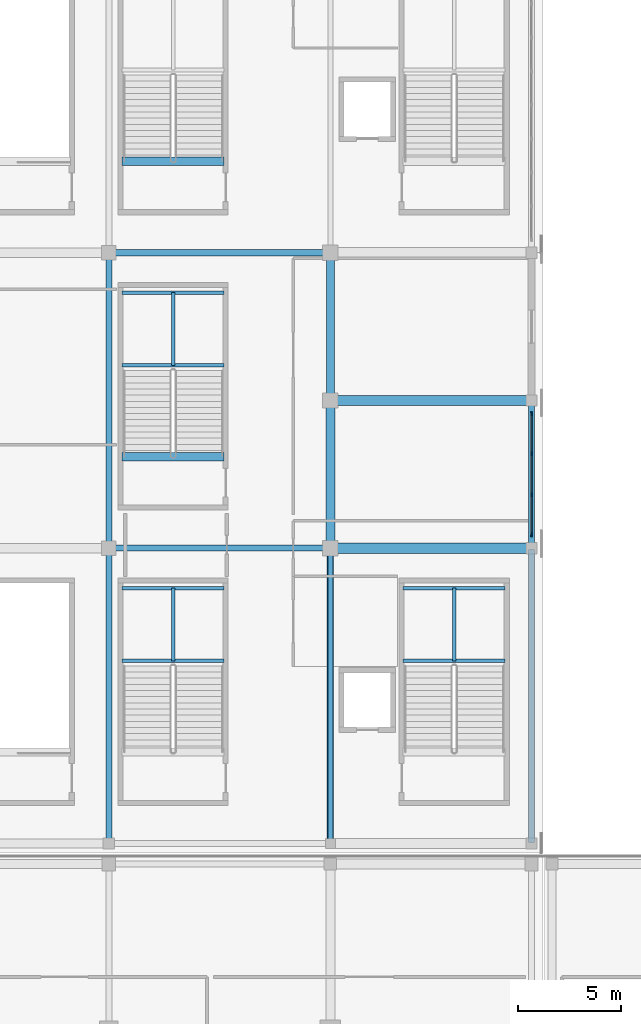
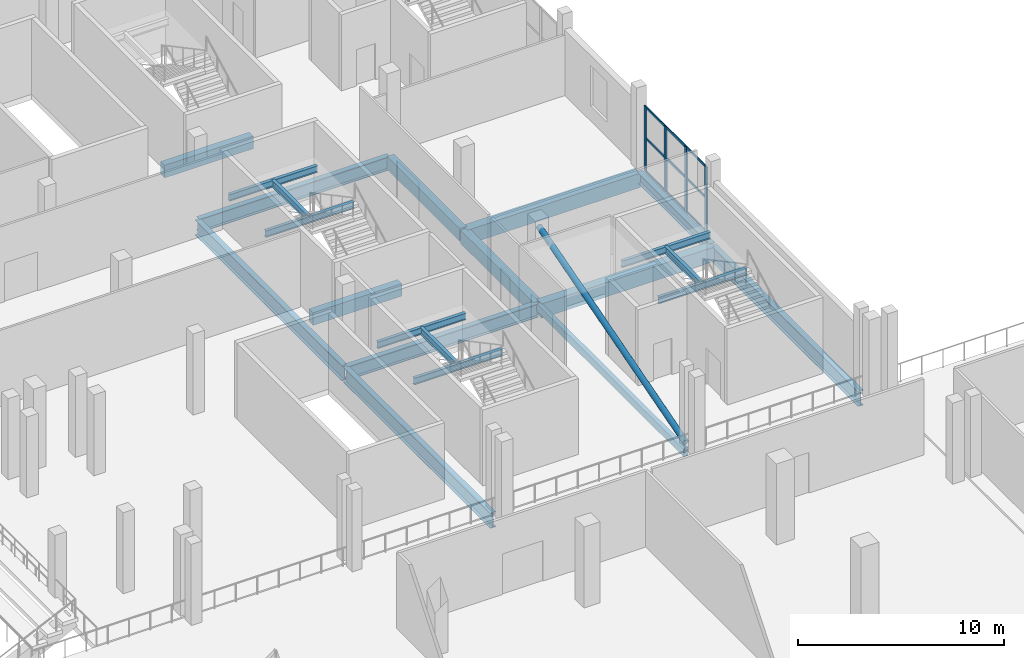
# One storey, part 39 of 129: 22 beams, 14 members, 1 element without a shape of its own.
"""IFC4 building model written with IfcOpenShell, lengths in metres."""

import ifcopenshell
import ifcopenshell.guid

model = None  # the IFC model being written
_history = None  # IfcOwnerHistory: only IFC2X3 demands one
_inside = {}  # id of a spatial element -> (the spatial element, [elements in it])
_under = {}  # id of a project, library or spatial element -> (it, [spatial elements below it])
_declared = {}  # id of a project -> (the project, [libraries it declares])
_typed = {}  # id of a type object -> (the type object, [elements of that type])
_made_of = {}  # id of a material, layer set ... -> (it, [elements and type objects made of it])


def new_model(schema):
    """Start an empty IFC model of exactly this schema.

    Asked for "IFC4X3", IfcOpenShell would pick the latest addendum, in which some entities
    have other attributes; the version numbers below select the first issue.
    IFC2X3 requires an IfcOwnerHistory on every rooted entity: one is made here for all.
    """
    global model, _history
    if schema == "IFC4X3":
        model = ifcopenshell.file(schema_version=(4, 3, 0, 0))
    else:
        model = ifcopenshell.file(schema=schema)
    _inside.clear()
    _under.clear()
    _declared.clear()
    _typed.clear()
    _made_of.clear()
    _history = None
    if model.schema == "IFC2X3":
        org = make("IfcOrganization", Name="unknown")
        user = make(
            "IfcPersonAndOrganization",
            ThePerson=make("IfcPerson", FamilyName="unknown"),
            TheOrganization=org,
        )
        app = make(
            "IfcApplication",
            ApplicationDeveloper=org,
            Version="unknown",
            ApplicationFullName="unknown",
            ApplicationIdentifier="unknown",
        )
        _history = make(
            "IfcOwnerHistory",
            OwningUser=user,
            OwningApplication=app,
            ChangeAction="ADDED",
            CreationDate=0,
        )
    return model


def make(cls, **values):
    """One entity of the class cls with the attributes given. An attribute that is None is left unset."""
    return model.create_entity(
        cls, **{name: value for name, value in values.items() if value is not None}
    )


def rooted(cls, **values):
    """An entity with a GlobalId (a new one), such as an element, a storey or a relation."""
    return make(cls, GlobalId=ifcopenshell.guid.new(), OwnerHistory=_history, **values)


def si_unit(unit_type, name, prefix=None):
    """IfcSIUnit, for example si_unit("LENGTHUNIT", "METRE", prefix="MILLI")."""
    return make("IfcSIUnit", UnitType=unit_type, Prefix=prefix, Name=name)


def assignment(units):
    """IfcUnitAssignment: the units of a project."""
    return None if units is None else make("IfcUnitAssignment", Units=units)


def point(xyz):
    """IfcCartesianPoint."""
    return None if xyz is None else make("IfcCartesianPoint", Coordinates=xyz)


def direction(xyz):
    """IfcDirection."""
    return None if xyz is None else make("IfcDirection", DirectionRatios=xyz)


def frame(location, z_axis=None, x_axis=None):
    """IfcAxis2Placement3D, a coordinate frame: its origin and axes. An axis left out is left unset."""
    return make(
        "IfcAxis2Placement3D",
        Location=point(location),
        Axis=direction(z_axis),
        RefDirection=direction(x_axis),
    )


def frame_2d(location, x_axis=None):
    """IfcAxis2Placement2D, a coordinate frame in the plane: its origin and x axis."""
    return make(
        "IfcAxis2Placement2D", Location=point(location), RefDirection=direction(x_axis)
    )


def origin():
    """The frame at (0, 0, 0) with its axes left unset."""
    return frame((0.0, 0.0, 0.0))


def origin_2d():
    """The frame at (0, 0) in the plane with its x axis left unset."""
    return frame_2d((0.0, 0.0))


def place(relative_to, where):
    """IfcLocalPlacement: puts the frame where relative to a parent placement (None: the world)."""
    return make(
        "IfcLocalPlacement", PlacementRelTo=relative_to, RelativePlacement=where
    )


def context(
    kind, dimensions, precision=None, world=None, true_north=None, identifier=None
):
    """IfcGeometricRepresentationContext, for example the 3D "Model" context."""
    return make(
        "IfcGeometricRepresentationContext",
        ContextIdentifier=identifier,
        ContextType=kind,
        CoordinateSpaceDimension=dimensions,
        Precision=precision,
        WorldCoordinateSystem=world,
        TrueNorth=true_north,
    )


def subcontext(parent, identifier, kind, view, scale=None):
    """IfcGeometricRepresentationSubContext, for example "Body" below "Model"."""
    return make(
        "IfcGeometricRepresentationSubContext",
        ContextIdentifier=identifier,
        ContextType=kind,
        ParentContext=parent,
        TargetScale=scale,
        TargetView=view,
    )


def project(units=None, contexts=None):
    """IfcProject with its units and contexts."""
    return rooted(
        "IfcProject",
        Name="project",
        RepresentationContexts=contexts,
        UnitsInContext=assignment(units),
    )


def spatial(cls, under=None, at=None, **own):
    """A site, building, storey or space (cls), placed at a placement, below another one or the project."""
    s = rooted(cls, ObjectPlacement=at, **own)
    if under is not None:
        _under.setdefault(under.id(), (under, []))[1].append(s)
    return s


def profile(cls, at=None, kind="AREA", **sizes):
    """A parametric profile (cls). Its sizes go by their IFC names, for example OverallWidth=200.0."""
    return make(cls, ProfileType=kind, Position=at, **sizes)


def rectangle(**sizes):
    """IfcRectangleProfileDef."""
    return profile("IfcRectangleProfileDef", **sizes)


def hollow_rectangle(**sizes):
    """IfcRectangleHollowProfileDef."""
    return profile("IfcRectangleHollowProfileDef", **sizes)


def hollow_circle(**sizes):
    """IfcCircleHollowProfileDef."""
    return profile("IfcCircleHollowProfileDef", **sizes)


def i_section(**sizes):
    """IfcIShapeProfileDef."""
    return profile("IfcIShapeProfileDef", **sizes)


def extrude(swept, where, along, depth):
    """IfcExtrudedAreaSolid: the profile swept, set in the frame where, extruded along a direction by depth."""
    return make(
        "IfcExtrudedAreaSolid",
        SweptArea=swept,
        Position=where,
        ExtrudedDirection=direction(along),
        Depth=depth,
    )


def shape(context_of_items, identifier, shape_type, items):
    """IfcShapeRepresentation: the items that make up one representation, for example the "Body"."""
    return make(
        "IfcShapeRepresentation",
        ContextOfItems=context_of_items,
        RepresentationIdentifier=identifier,
        RepresentationType=shape_type,
        Items=items,
    )


def material(Name=None, Category=None):
    """IfcMaterial."""
    return make("IfcMaterial", Name=Name, Category=Category)


def material_profile(
    of_material, cross_section, Name=None, Category=None, Priority=None
):
    """IfcMaterialProfile: a cross section and its material."""
    return make(
        "IfcMaterialProfile",
        Name=Name,
        Material=of_material,
        Profile=cross_section,
        Priority=Priority,
        Category=Category,
    )


def profile_set(profiles, Name=None, composite=None):
    """IfcMaterialProfileSet."""
    return make(
        "IfcMaterialProfileSet",
        Name=Name,
        MaterialProfiles=profiles,
        CompositeProfile=composite,
    )


def made_of(thing, what):
    """Note that an element or type object is made of a material, layer set ...; save() writes the relation."""
    if what is not None:
        _made_of.setdefault(what.id(), (what, []))[1].append(thing)
    return thing


def type_object(cls, material=None, **own):
    """A type object (cls), such as IfcWallType, which elements share."""
    return made_of(rooted(cls, **own), material)


def element(
    cls,
    number,
    at=None,
    inside=None,
    cuts=None,
    type_object=None,
    material=None,
    context=None,
    identifier="Body",
    shape_type=None,
    held_by="IfcProductDefinitionShape",
    body=None,
    shapes=None,
    **own,
):
    """One element of the class cls, such as IfcWall. Its Tag is "e" and its number.

    at: its placement. inside: the storey or other place that contains it. cuts: it is an
    opening in that element (IfcRelVoidsElement). A single representation is given by context,
    identifier, shape_type and body (its items); several are given by shapes. held_by: the class
    of the entity that holds the representations. save() writes the other relations.
    """
    e = rooted(cls, Tag="e%d" % number, ObjectPlacement=at, **own)
    if body is not None:
        shapes = [shape(context, identifier, shape_type, body)]
    if shapes is not None:
        e.Representation = make(held_by, Representations=shapes)
    if inside is not None:
        _inside.setdefault(inside.id(), (inside, []))[1].append(e)
    if cuts is not None:
        rooted(
            "IfcRelVoidsElement", RelatingBuildingElement=cuts, RelatedOpeningElement=e
        )
    if type_object is not None:
        _typed.setdefault(type_object.id(), (type_object, []))[1].append(e)
    return made_of(e, material)


def aggregate(whole, parts):
    """IfcRelAggregates: a whole, such as a stair, and the parts it consists of."""
    return rooted("IfcRelAggregates", RelatingObject=whole, RelatedObjects=parts)


def save(model, path):
    """Write the relations noted so far, then the file.

    IfcRelAggregates (storeys below a building ...), IfcRelContainedInSpatialStructure (elements
    in a storey), IfcRelDefinesByType, IfcRelAssociatesMaterial and IfcRelDeclares: one each for
    every whole, place, type object, material and project.
    """
    for whole, parts in _under.values():
        aggregate(whole, parts)
    for where, things in _inside.values():
        rooted(
            "IfcRelContainedInSpatialStructure",
            RelatedElements=things,
            RelatingStructure=where,
        )
    for kind, things in _typed.values():
        rooted("IfcRelDefinesByType", RelatedObjects=things, RelatingType=kind)
    for what, things in _made_of.values():
        rooted("IfcRelAssociatesMaterial", RelatedObjects=things, RelatingMaterial=what)
    for by, libraries in _declared.values():
        rooted("IfcRelDeclares", RelatingContext=by, RelatedDefinitions=libraries)
    model.write(path)


model = new_model("IFC4")

# Units and contexts
model_context = context("Model", 3, precision=1e-05, world=origin(), true_north=direction((0.0, 1.0)))
body_context = subcontext(model_context, "Body", "Model", "MODEL_VIEW")
ifc_project = project(units=[si_unit("LENGTHUNIT", "METRE"), si_unit("AREAUNIT", "SQUARE_METRE"), si_unit("VOLUMEUNIT", "CUBIC_METRE"), si_unit("PLANEANGLEUNIT", "RADIAN"), si_unit("MASSUNIT", "GRAM", prefix="KILO")], contexts=[model_context])

# Site, building, storey
site_placement = place(None, origin())
site = spatial("IfcSite", under=ifc_project, at=site_placement, CompositionType="ELEMENT")
building_placement = place(site_placement, origin())
building = spatial("IfcBuilding", under=site, at=building_placement, Name="Koshinbarg Plaza Stadium", CompositionType="ELEMENT")
storey_placement = place(building_placement, frame((0.0, 0.0, 5.39990234375)))
storey = spatial("IfcBuildingStorey", under=building, at=storey_placement, Name="L01", CompositionType="ELEMENT", Elevation=5.39990234375)

# Beams
ifc_material_1 = material(Name="Concrete C40/50", Category="concrete")
ifc_material_profile_1 = material_profile(ifc_material_1, rectangle(XDim=0.39990234375, YDim=0.75, at=origin_2d()), Name="RC 400x750")
ifc_profile_set_1 = profile_set([ifc_material_profile_1], Name="Concrete C40/50")
beam_type_1 = type_object("IfcBeamType", Name="BM-RCG-03", PredefinedType="USERDEFINED", material=ifc_profile_set_1)
beam_1_placement = place(storey_placement, frame((208.60009765625, 47.159912109375, -0.69482421875), z_axis=(0.0, 1.0, 0.0), x_axis=(-1.0, 0.0, 0.0)))
element("IfcBeam", 1, at=beam_1_placement, inside=storey, type_object=beam_type_1, Name="L01 Y girder 20/G-H", ObjectType="GIRDER", PredefinedType="USERDEFINED", context=body_context, shape_type="SweptSolid", body=[
    extrude(rectangle(XDim=0.39990234375, YDim=0.75, at=origin_2d()), origin(), (0.0, 0.0, 1.0), 7.080078125),
])
for number, where, z_axis, x_axis, name in (
    (2, (198.449951171875, 44.360107421875, -0.375), (1.0, 0.0, 0.0), (0.0, 1.0, 0.0), "L01 stair landing header beam VX08"),
    (3, (198.449951171875, 58.760009765625, -0.375), (1.0, 0.0, 0.0), (0.0, 1.0, 0.0), "L01 stair landing header beam VX09"),
):
    element("IfcBeam", number, at=place(storey_placement, frame(where, z_axis=z_axis, x_axis=x_axis)), inside=storey, type_object=beam_type_1, Name=name, ObjectType="GIRDER", PredefinedType="USERDEFINED", context=body_context, shape_type="SweptSolid", body=[
        extrude(rectangle(XDim=0.39990234375, YDim=0.75, at=origin_2d()), origin(), (0.0, 0.0, 1.0), 4.969970703125),
    ])
ifc_material_profile_2 = material_profile(ifc_material_1, rectangle(XDim=0.449951171875, YDim=0.800048828125, at=origin_2d()), Name="RC 450x800")
ifc_profile_set_2 = profile_set([ifc_material_profile_2], Name="Concrete C40/50")
beam_type_2 = type_object("IfcBeamType", Name="BM-RCG-04", PredefinedType="USERDEFINED", material=ifc_profile_set_2)
beam_2_placement = place(storey_placement, frame((208.60009765625, 39.9599609375, -0.719970703125), z_axis=(0.0, 1.0, 0.0), x_axis=(-1.0, 0.0, 0.0)))
element("IfcBeam", 4, at=beam_2_placement, inside=storey, type_object=beam_type_2, Name="L01 Y girder 20/F-G", ObjectType="GIRDER", PredefinedType="USERDEFINED", context=body_context, shape_type="SweptSolid", body=[
    extrude(rectangle(XDim=0.449951171875, YDim=0.800048828125, at=origin_2d()), origin(), (0.0, 0.0, 1.0), 7.080078125),
])
ifc_material_profile_3 = material_profile(ifc_material_1, rectangle(XDim=0.5, YDim=0.85009765625, at=origin_2d()), Name="RC 500x850")
ifc_profile_set_3 = profile_set([ifc_material_profile_3], Name="Concrete C40/50")
beam_type_3 = type_object("IfcBeamType", Name="BM-RCG-05", PredefinedType="USERDEFINED", material=ifc_profile_set_3)
for number, where, z_axis, x_axis, name in (
    (5, (208.659912109375, 39.89990234375, -0.744873046875), (1.0, 0.0, 0.0), (0.0, 1.0, 0.0), "L01 X girder F/20-21"),
    (6, (208.659912109375, 47.10009765625, -0.744873046875), (1.0, 0.0, 0.0), (0.0, 1.0, 0.0), "L01 X girder G/20-21"),
):
    element("IfcBeam", number, at=place(storey_placement, frame(where, z_axis=z_axis, x_axis=x_axis)), inside=storey, type_object=beam_type_3, Name=name, ObjectType="GIRDER", PredefinedType="USERDEFINED", context=body_context, shape_type="SweptSolid", body=[
        extrude(rectangle(XDim=0.5, YDim=0.85009765625, at=origin_2d()), origin(), (0.0, 0.0, 1.0), 9.68017578125),
    ])
ifc_material_2 = material(Name="Steel S355", Category="steel")
ifc_material_profile_4 = material_profile(ifc_material_2, i_section(OverallWidth=0.179931640625, OverallDepth=0.39990234375, WebThickness=0.008544921875, FlangeThickness=0.013427734375, at=origin_2d()), Name="IPE 400")
ifc_profile_set_4 = profile_set([ifc_material_profile_4], Name="Steel S355")
beam_type_4 = type_object("IfcBeamType", Name="BM-SBM-01", PredefinedType="BEAM", material=ifc_profile_set_4)
for number, where, z_axis, x_axis, name in (
    (7, (212.14990234375, 34.409912109375, 1.880126953125), (1.0, 0.0, 0.0), (0.0, 1.0, 0.0), "L01 Protected Exit Stair C07 landing trimmer beam 1"),
    (8, (212.14990234375, 37.949951171875, 1.880126953125), (1.0, 0.0, 0.0), (0.0, 1.0, 0.0), "L01 Protected Exit Stair C07 landing trimmer beam 2"),
):
    element("IfcBeam", number, at=place(storey_placement, frame(where, z_axis=z_axis, x_axis=x_axis)), inside=storey, type_object=beam_type_4, Name=name, PredefinedType="BEAM", context=body_context, shape_type="SweptSolid", body=[
        extrude(i_section(OverallWidth=0.179931640625, OverallDepth=0.39990234375, WebThickness=0.008544921875, FlangeThickness=0.013427734375, at=origin_2d()), origin(), (0.0, 0.0, 1.0), 4.97021484375),
    ])
beam_3_placement = place(storey_placement, frame((214.635009765625, 34.409912109375, 1.880126953125), z_axis=(0.0, 1.0, 0.0), x_axis=(-1.0, 0.0, 0.0)))
element("IfcBeam", 9, at=beam_3_placement, inside=storey, type_object=beam_type_4, Name="L01 Protected Exit Stair C07 landing trimmer beam 3", PredefinedType="BEAM", context=body_context, shape_type="SweptSolid", body=[
    extrude(i_section(OverallWidth=0.179931640625, OverallDepth=0.39990234375, WebThickness=0.008544921875, FlangeThickness=0.013427734375, at=origin_2d()), origin(), (0.0, 0.0, 1.0), 3.5400390625),
])
for number, where, z_axis, x_axis, name in (
    (10, (198.449951171875, 34.409912109375, 1.880126953125), (1.0, 0.0, 0.0), (0.0, 1.0, 0.0), "L01 Upper Vomitory Stair VX07 landing trimmer beam 1"),
    (11, (198.449951171875, 37.949951171875, 1.880126953125), (1.0, 0.0, 0.0), (0.0, 1.0, 0.0), "L01 Upper Vomitory Stair VX07 landing trimmer beam 2"),
):
    element("IfcBeam", number, at=place(storey_placement, frame(where, z_axis=z_axis, x_axis=x_axis)), inside=storey, type_object=beam_type_4, Name=name, PredefinedType="BEAM", context=body_context, shape_type="SweptSolid", body=[
        extrude(i_section(OverallWidth=0.179931640625, OverallDepth=0.39990234375, WebThickness=0.008544921875, FlangeThickness=0.013427734375, at=origin_2d()), origin(), (0.0, 0.0, 1.0), 4.969970703125),
    ])
beam_4_placement = place(storey_placement, frame((200.93505859375, 34.409912109375, 1.880126953125), z_axis=(0.0, 1.0, 0.0), x_axis=(-1.0, 0.0, 0.0)))
element("IfcBeam", 12, at=beam_4_placement, inside=storey, type_object=beam_type_4, Name="L01 Upper Vomitory Stair VX07 landing trimmer beam 3", PredefinedType="BEAM", context=body_context, shape_type="SweptSolid", body=[
    extrude(i_section(OverallWidth=0.179931640625, OverallDepth=0.39990234375, WebThickness=0.008544921875, FlangeThickness=0.013427734375, at=origin_2d()), origin(), (0.0, 0.0, 1.0), 3.5400390625),
])
for number, where, z_axis, x_axis, name in (
    (13, (198.449951171875, 48.81005859375, 1.880126953125), (1.0, 0.0, 0.0), (0.0, 1.0, 0.0), "L01 Upper Vomitory Stair VX08 landing trimmer beam 1"),
    (14, (198.449951171875, 52.35009765625, 1.880126953125), (1.0, 0.0, 0.0), (0.0, 1.0, 0.0), "L01 Upper Vomitory Stair VX08 landing trimmer beam 2"),
):
    element("IfcBeam", number, at=place(storey_placement, frame(where, z_axis=z_axis, x_axis=x_axis)), inside=storey, type_object=beam_type_4, Name=name, PredefinedType="BEAM", context=body_context, shape_type="SweptSolid", body=[
        extrude(i_section(OverallWidth=0.179931640625, OverallDepth=0.39990234375, WebThickness=0.008544921875, FlangeThickness=0.013427734375, at=origin_2d()), origin(), (0.0, 0.0, 1.0), 4.969970703125),
    ])
beam_5_placement = place(storey_placement, frame((200.93505859375, 48.81005859375, 1.880126953125), z_axis=(0.0, 1.0, 0.0), x_axis=(-1.0, 0.0, 0.0)))
element("IfcBeam", 15, at=beam_5_placement, inside=storey, type_object=beam_type_4, Name="L01 Upper Vomitory Stair VX08 landing trimmer beam 3", PredefinedType="BEAM", context=body_context, shape_type="SweptSolid", body=[
    extrude(i_section(OverallWidth=0.179931640625, OverallDepth=0.39990234375, WebThickness=0.008544921875, FlangeThickness=0.013427734375, at=origin_2d()), origin(), (0.0, 0.0, 1.0), 3.5400390625),
])
ifc_material_profile_5 = material_profile(ifc_material_2, i_section(OverallWidth=0.300048828125, OverallDepth=0.60009765625, WebThickness=0.015380859375, FlangeThickness=0.030029296875, at=origin_2d()), Name="HEB 600")
ifc_profile_set_5 = profile_set([ifc_material_profile_5], Name="Steel S355")
beam_type_5 = type_object("IfcBeamType", Name="BM-SGIR-02", PredefinedType="USERDEFINED", material=ifc_profile_set_5)
beam_6_placement = place(storey_placement, frame((218.39990234375, 39.9599609375, -0.619873046875), z_axis=(0.0, 1.0, 0.0), x_axis=(-1.0, 0.0, 0.0)))
element("IfcBeam", 16, at=beam_6_placement, inside=storey, type_object=beam_type_5, Name="L01 Y girder 21/F-G", ObjectType="GIRDER", PredefinedType="USERDEFINED", context=body_context, shape_type="SweptSolid", body=[
    extrude(i_section(OverallWidth=0.300048828125, OverallDepth=0.60009765625, WebThickness=0.015380859375, FlangeThickness=0.030029296875, at=origin_2d()), origin(), (0.0, 0.0, 1.0), 7.080078125),
])
ifc_material_profile_6 = material_profile(ifc_material_2, i_section(OverallWidth=0.300048828125, OverallDepth=0.800048828125, WebThickness=0.017578125, FlangeThickness=0.032958984375, at=origin_2d()), Name="HEB 800")
ifc_profile_set_6 = profile_set([ifc_material_profile_6], Name="Steel S355")
beam_type_6 = type_object("IfcBeamType", Name="BM-SGIR-04", PredefinedType="USERDEFINED", material=ifc_profile_set_6)
for number, where, z_axis, x_axis, name in (
    (17, (197.860107421875, 39.89990234375, -0.719970703125), (1.0, 0.0, 0.0), (0.0, 1.0, 0.0), "L01 X girder F/19-20"),
    (18, (197.860107421875, 54.300048828125, -0.719970703125), (1.0, 0.0, 0.0), (0.0, 1.0, 0.0), "L01 X girder H/19-20"),
):
    element("IfcBeam", number, at=place(storey_placement, frame(where, z_axis=z_axis, x_axis=x_axis)), inside=storey, type_object=beam_type_6, Name=name, ObjectType="GIRDER", PredefinedType="USERDEFINED", context=body_context, shape_type="SweptSolid", body=[
        extrude(i_section(OverallWidth=0.300048828125, OverallDepth=0.800048828125, WebThickness=0.017578125, FlangeThickness=0.032958984375, at=origin_2d()), origin(), (0.0, 0.0, 1.0), 10.679931640625),
    ])
ifc_material_profile_7 = material_profile(ifc_material_2, i_section(OverallWidth=0.300048828125, OverallDepth=0.89990234375, WebThickness=0.0185546875, FlangeThickness=0.034912109375, at=origin_2d()), Name="HEB 900")
ifc_profile_set_7 = profile_set([ifc_material_profile_7], Name="Steel S355")
beam_type_7 = type_object("IfcBeamType", Name="BM-SGIR-05", PredefinedType="USERDEFINED", material=ifc_profile_set_7)
for number, where, z_axis, x_axis, name in (
    (19, (197.800048828125, 25.56005859375, -0.77001953125), (0.0, 1.0, 0.0), (-1.0, 0.0, 0.0), "L01 Y girder 19/E-F"),
    (20, (197.800048828125, 39.9599609375, -0.77001953125), (0.0, 1.0, 0.0), (-1.0, 0.0, 0.0), "L01 Y girder 19/F-H"),
    (21, (218.39990234375, 25.56005859375, -0.77001953125), (0.0, 1.0, 0.0), (-1.0, 0.0, 0.0), "L01 Y girder 21/E-F"),
):
    element("IfcBeam", number, at=place(storey_placement, frame(where, z_axis=z_axis, x_axis=x_axis)), inside=storey, type_object=beam_type_7, Name=name, ObjectType="GIRDER", PredefinedType="USERDEFINED", context=body_context, shape_type="SweptSolid", body=[
        extrude(i_section(OverallWidth=0.300048828125, OverallDepth=0.89990234375, WebThickness=0.0185546875, FlangeThickness=0.034912109375, at=origin_2d()), origin(), (0.0, 0.0, 1.0), 14.280029296875),
    ])
ifc_material_profile_8 = material_profile(ifc_material_2, hollow_rectangle(XDim=0.25, YDim=0.449951171875, WallThickness=0.01611328125, at=origin_2d()), Name="RHS 450x250x16")
ifc_profile_set_8 = profile_set([ifc_material_profile_8], Name="Steel S355")
beam_type_8 = type_object("IfcBeamType", Name="BM-SGIR-06", PredefinedType="USERDEFINED", material=ifc_profile_set_8)
beam_7_placement = place(storey_placement, frame((208.60009765625, 25.56005859375, -0.544921875), z_axis=(0.0, 1.0, 0.0), x_axis=(-1.0, 0.0, 0.0)))
element("IfcBeam", 22, at=beam_7_placement, inside=storey, type_object=beam_type_8, Name="L01 Y girder 20/E-F", ObjectType="GIRDER", PredefinedType="USERDEFINED", context=body_context, shape_type="SweptSolid", body=[
    extrude(hollow_rectangle(XDim=0.25, YDim=0.449951171875, WallThickness=0.01611328125, at=origin_2d()), origin(), (0.0, 0.0, 1.0), 14.280029296875),
])

# Curtain wall, members
ifc_material_3 = material(Name="Thermally broken anodised aluminium and low-E double glazing", Category="aluminium")
curtain_wall_type = type_object("IfcCurtainWallType", Name="CW-SYS-08", PredefinedType="NOTDEFINED", material=ifc_material_3)
curtain_wall_placement = place(storey_placement, origin())
curtain_wall = element("IfcCurtainWall", 23, at=curtain_wall_placement, inside=storey, type_object=curtain_wall_type, Name="L01 unitised curtain wall CW-L01-023", PredefinedType="NOTDEFINED")
ifc_material_4 = material(Name="Anodised aluminium mullion", Category="aluminium")
ifc_material_profile_9 = material_profile(ifc_material_4, rectangle(XDim=0.070068359375, YDim=0.199951171875, at=origin_2d()), Name="ALU 70x200")
ifc_profile_set_9 = profile_set([ifc_material_profile_9], Name="Anodised aluminium mullion")
member_type_1 = type_object("IfcMemberType", Name="CW-MUL-04", PredefinedType="MULLION", material=ifc_profile_set_9)
member_1_placement = place(storey_placement, frame((218.39990234375, 46.449951171875, 0.0), z_axis=(0.0, 0.0, 1.0), x_axis=(1.0, 0.0, 0.0)))
member_1 = element("IfcMember", 24, at=member_1_placement, type_object=member_type_1, Name="CW08 mullion 1", PredefinedType="MULLION", context=body_context, shape_type="SweptSolid", body=[
    extrude(rectangle(XDim=0.070068359375, YDim=0.199951171875, at=origin_2d()), origin(), (0.0, 0.0, 1.0), 3.880126953125),
])
member_2_placement = place(storey_placement, frame((218.39990234375, 44.493408203125, 0.0), z_axis=(0.0, 0.0, 1.0), x_axis=(1.0, 0.0, 0.0)))
member_2 = element("IfcMember", 25, at=member_2_placement, type_object=member_type_1, Name="CW08 mullion 2", PredefinedType="MULLION", context=body_context, shape_type="SweptSolid", body=[
    extrude(rectangle(XDim=0.070068359375, YDim=0.199951171875, at=origin_2d()), origin(), (0.0, 0.0, 1.0), 3.880126953125),
])
member_3_placement = place(storey_placement, frame((218.39990234375, 42.506591796875, 0.0), z_axis=(0.0, 0.0, 1.0), x_axis=(1.0, 0.0, 0.0)))
member_3 = element("IfcMember", 26, at=member_3_placement, type_object=member_type_1, Name="CW08 mullion 3", PredefinedType="MULLION", context=body_context, shape_type="SweptSolid", body=[
    extrude(rectangle(XDim=0.070068359375, YDim=0.199951171875, at=origin_2d()), origin(), (0.0, 0.0, 1.0), 3.880126953125),
])
member_4_placement = place(storey_placement, frame((218.39990234375, 40.550048828125, 0.0), z_axis=(0.0, 0.0, 1.0), x_axis=(1.0, 0.0, 0.0)))
member_4 = element("IfcMember", 27, at=member_4_placement, type_object=member_type_1, Name="CW08 mullion 4", PredefinedType="MULLION", context=body_context, shape_type="SweptSolid", body=[
    extrude(rectangle(XDim=0.070068359375, YDim=0.199951171875, at=origin_2d()), origin(), (0.0, 0.0, 1.0), 3.880126953125),
])
ifc_material_5 = material(Name="Anodised aluminium transom", Category="aluminium")
ifc_material_profile_10 = material_profile(ifc_material_5, rectangle(XDim=0.06005859375, YDim=0.1298828125, at=origin_2d()), Name="ALU 60x130")
ifc_profile_set_10 = profile_set([ifc_material_profile_10], Name="Anodised aluminium transom")
member_type_2 = type_object("IfcMemberType", Name="CW-TRN-02", PredefinedType="USERDEFINED", material=ifc_profile_set_10)
member_5_placement = place(storey_placement, frame((218.39990234375, 46.419921875, 0.030029296875), z_axis=(0.0, -1.0, 0.0), x_axis=(1.0, 0.0, 0.0)))
member_5 = element("IfcMember", 28, at=member_5_placement, type_object=member_type_2, Name="CW08 transom 1.1", ObjectType="TRANSOM", PredefinedType="USERDEFINED", context=body_context, shape_type="SweptSolid", body=[
    extrude(rectangle(XDim=0.06005859375, YDim=0.1298828125, at=origin_2d()), origin(), (0.0, 0.0, 1.0), 1.896484375),
])
member_6_placement = place(storey_placement, frame((218.39990234375, 46.419921875, 2.017578125), z_axis=(0.0, -1.0, 0.0), x_axis=(1.0, 0.0, 0.0)))
member_6 = element("IfcMember", 29, at=member_6_placement, type_object=member_type_2, Name="CW08 transom 1.2", ObjectType="TRANSOM", PredefinedType="USERDEFINED", context=body_context, shape_type="SweptSolid", body=[
    extrude(rectangle(XDim=0.06005859375, YDim=0.1298828125, at=origin_2d()), origin(), (0.0, 0.0, 1.0), 1.896484375),
])
member_7_placement = place(storey_placement, frame((218.39990234375, 46.419921875, 3.85009765625), z_axis=(0.0, -1.0, 0.0), x_axis=(1.0, 0.0, 0.0)))
member_7 = element("IfcMember", 30, at=member_7_placement, type_object=member_type_2, Name="CW08 transom 1.3", ObjectType="TRANSOM", PredefinedType="USERDEFINED", context=body_context, shape_type="SweptSolid", body=[
    extrude(rectangle(XDim=0.06005859375, YDim=0.1298828125, at=origin_2d()), origin(), (0.0, 0.0, 1.0), 1.896484375),
])
member_8_placement = place(storey_placement, frame((218.39990234375, 44.46337890625, 0.030029296875), z_axis=(0.0, -1.0, 0.0), x_axis=(1.0, 0.0, 0.0)))
member_8 = element("IfcMember", 31, at=member_8_placement, type_object=member_type_2, Name="CW08 transom 2.1", ObjectType="TRANSOM", PredefinedType="USERDEFINED", context=body_context, shape_type="SweptSolid", body=[
    extrude(rectangle(XDim=0.06005859375, YDim=0.1298828125, at=origin_2d()), origin(), (0.0, 0.0, 1.0), 1.9267578125),
])
member_9_placement = place(storey_placement, frame((218.39990234375, 44.46337890625, 2.017578125), z_axis=(0.0, -1.0, 0.0), x_axis=(1.0, 0.0, 0.0)))
member_9 = element("IfcMember", 32, at=member_9_placement, type_object=member_type_2, Name="CW08 transom 2.2", ObjectType="TRANSOM", PredefinedType="USERDEFINED", context=body_context, shape_type="SweptSolid", body=[
    extrude(rectangle(XDim=0.06005859375, YDim=0.1298828125, at=origin_2d()), origin(), (0.0, 0.0, 1.0), 1.9267578125),
])
member_10_placement = place(storey_placement, frame((218.39990234375, 44.46337890625, 3.85009765625), z_axis=(0.0, -1.0, 0.0), x_axis=(1.0, 0.0, 0.0)))
member_10 = element("IfcMember", 33, at=member_10_placement, type_object=member_type_2, Name="CW08 transom 2.3", ObjectType="TRANSOM", PredefinedType="USERDEFINED", context=body_context, shape_type="SweptSolid", body=[
    extrude(rectangle(XDim=0.06005859375, YDim=0.1298828125, at=origin_2d()), origin(), (0.0, 0.0, 1.0), 1.9267578125),
])
member_11_placement = place(storey_placement, frame((218.39990234375, 42.4765625, 0.030029296875), z_axis=(0.0, -1.0, 0.0), x_axis=(1.0, 0.0, 0.0)))
member_11 = element("IfcMember", 34, at=member_11_placement, type_object=member_type_2, Name="CW08 transom 3.1", ObjectType="TRANSOM", PredefinedType="USERDEFINED", context=body_context, shape_type="SweptSolid", body=[
    extrude(rectangle(XDim=0.06005859375, YDim=0.1298828125, at=origin_2d()), origin(), (0.0, 0.0, 1.0), 1.896484375),
])
member_12_placement = place(storey_placement, frame((218.39990234375, 42.4765625, 2.017578125), z_axis=(0.0, -1.0, 0.0), x_axis=(1.0, 0.0, 0.0)))
member_12 = element("IfcMember", 35, at=member_12_placement, type_object=member_type_2, Name="CW08 transom 3.2", ObjectType="TRANSOM", PredefinedType="USERDEFINED", context=body_context, shape_type="SweptSolid", body=[
    extrude(rectangle(XDim=0.06005859375, YDim=0.1298828125, at=origin_2d()), origin(), (0.0, 0.0, 1.0), 1.896484375),
])
member_13_placement = place(storey_placement, frame((218.39990234375, 42.4765625, 3.85009765625), z_axis=(0.0, -1.0, 0.0), x_axis=(1.0, 0.0, 0.0)))
member_13 = element("IfcMember", 36, at=member_13_placement, type_object=member_type_2, Name="CW08 transom 3.3", ObjectType="TRANSOM", PredefinedType="USERDEFINED", context=body_context, shape_type="SweptSolid", body=[
    extrude(rectangle(XDim=0.06005859375, YDim=0.1298828125, at=origin_2d()), origin(), (0.0, 0.0, 1.0), 1.896484375),
])
aggregate(curtain_wall, [member_1, member_2, member_3, member_4, member_5, member_6, member_7, member_8, member_9, member_10, member_11, member_12, member_13])

# Member
ifc_material_profile_11 = material_profile(ifc_material_2, hollow_circle(Radius=0.161865234375, WallThickness=0.01416015625, at=origin_2d()), Name="CHS 323.9x14.2")
ifc_profile_set_11 = profile_set([ifc_material_profile_11], Name="Steel S355")
member_type_3 = type_object("IfcMemberType", Name="MB-BRACE-01", PredefinedType="BRACE", material=ifc_profile_set_11)
member_14_placement = place(storey_placement, frame((208.60009765625, 25.580078125, 0.050048828125), z_axis=(0.0, 0.960057681506, 0.279802158999), x_axis=(-1.0, 0.0, 0.0)))
element("IfcMember", 37, at=member_14_placement, inside=storey, type_object=member_type_3, Name="L01 lateral frame brace 7", PredefinedType="BRACE", context=body_context, shape_type="SweptSolid", body=[
    extrude(hollow_circle(Radius=0.161865234375, WallThickness=0.01416015625, at=origin_2d()), origin(), (0.0, 0.0, 1.0), 14.83251953125),
])

save(model, "model.ifc")
